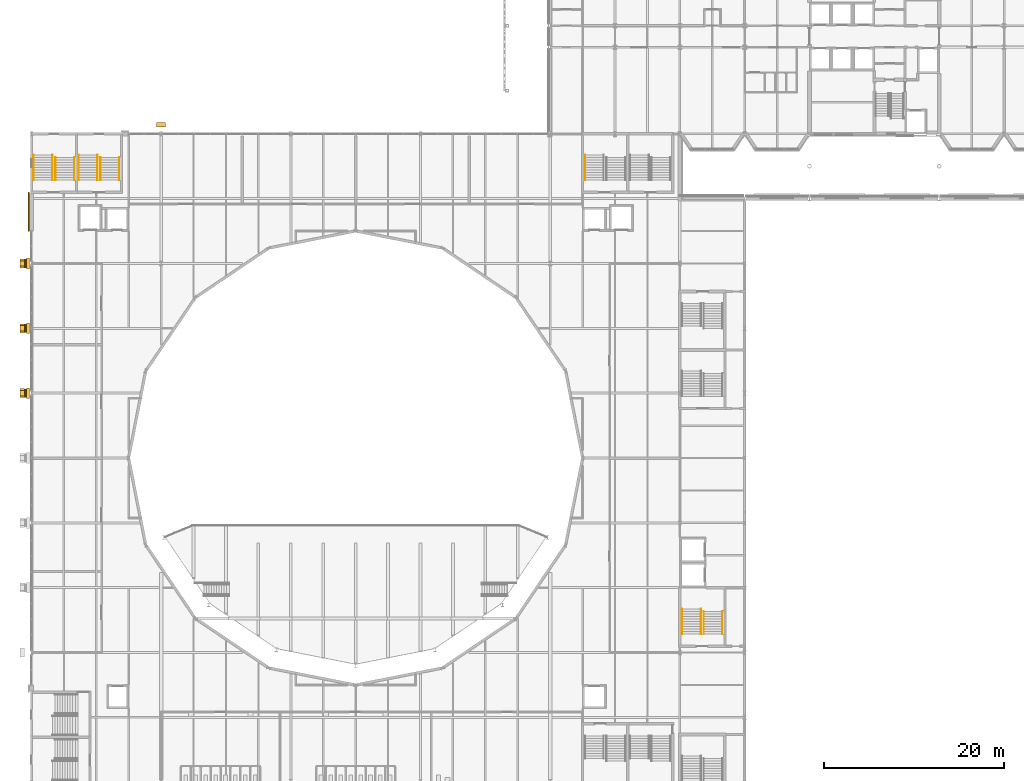
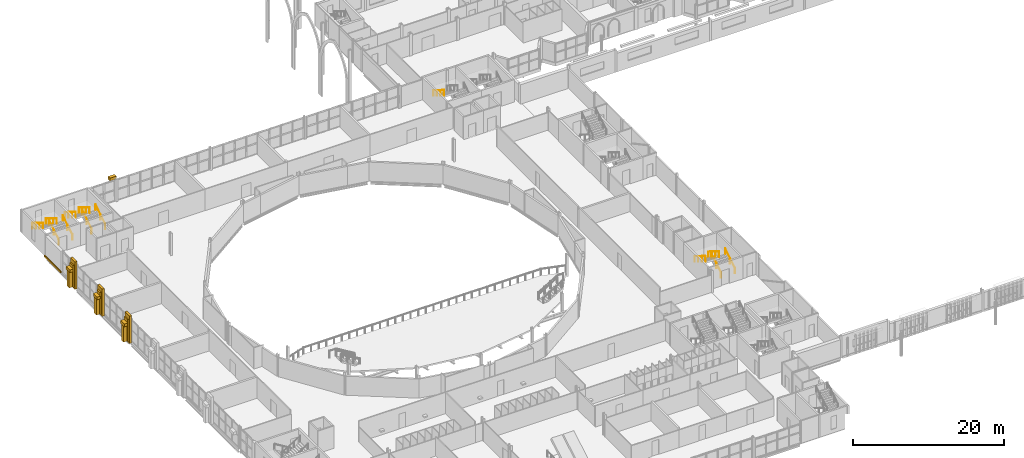
# One storey, part 106 of 124: 14 coverings, 13 railings.
"""IFC4 building model written with IfcOpenShell, lengths in metres."""

from ifc_helpers import new_model, si_unit, direction, frame, origin, origin_2d, place, context, subcontext, project, spatial, rectangle, circle, extrude, material, layer, layer_set, type_object, element, save


model = new_model("IFC4")

# Units and contexts
model_context = context("Model", 3, precision=1e-05, world=origin(), true_north=direction((0.0, 1.0)))
body_context = subcontext(model_context, "Body", "Model", "MODEL_VIEW")
ifc_project = project(units=[si_unit("LENGTHUNIT", "METRE"), si_unit("AREAUNIT", "SQUARE_METRE"), si_unit("VOLUMEUNIT", "CUBIC_METRE"), si_unit("PLANEANGLEUNIT", "RADIAN"), si_unit("MASSUNIT", "GRAM", prefix="KILO")], contexts=[model_context])

# Site, building, storey
site_placement = place(None, origin())
site = spatial("IfcSite", under=ifc_project, at=site_placement, CompositionType="ELEMENT")
building_placement = place(site_placement, origin())
building = spatial("IfcBuilding", under=site, at=building_placement, Name="Kupolbacken Congress Centre", CompositionType="ELEMENT")
storey_placement = place(building_placement, frame((0.0, 0.0, 10.800048828125)))
storey = spatial("IfcBuildingStorey", under=building, at=storey_placement, Name="L03", CompositionType="ELEMENT", Elevation=10.800048828125)

# Coverings
ifc_material_1 = material(Name="Limestone cladding", Category="masonry")
ifc_layer_1 = layer(ifc_material_1, 0.1201171875)
ifc_layer_set_1 = layer_set([ifc_layer_1], Name="Limestone cladding")
covering_type_1 = type_object("IfcCoveringType", Name="CV1 limestone cladding band 120", PredefinedType="CLADDING", material=ifc_layer_set_1)
covering_1_placement = place(storey_placement, frame((6.919921875, 113.75, 0.0), z_axis=(0.0, 0.0, 1.0), x_axis=(0.0, -1.0, 0.0)))
element("IfcCovering", 1, at=covering_1_placement, inside=storey, type_object=covering_type_1, Name="E/P/W/L03/385/band", PredefinedType="CLADDING", context=body_context, shape_type="SweptSolid", body=[
    extrude(rectangle(XDim=4.300048828125, YDim=0.1201171875, at=origin_2d()), origin(), (0.0, 0.0, 1.0), 0.300048828125),
])
ifc_material_2 = material(Name="Limestone cladding", Category="masonry")
ifc_layer_2 = layer(ifc_material_2, 0.35009765625)
ifc_layer_set_2 = layer_set([ifc_layer_2], Name="Limestone cladding")
covering_type_2 = type_object("IfcCoveringType", Name="CV3 limestone pilaster strip 350", PredefinedType="CLADDING", material=ifc_layer_set_2)
for number, where, z_axis, x_axis, name in (
    (2, (6.804931640625, 93.60009765625, 0.0), (0.0, 0.0, 1.0), (0.0, 1.0, 0.0), "F/P/W/pil/04/0"),
    (3, (6.804931640625, 100.800048828125, 0.0), (0.0, 0.0, 1.0), (0.0, 1.0, 0.0), "F/P/W/pil/05/0"),
    (4, (6.804931640625, 108.0, 0.0), (0.0, 0.0, 1.0), (0.0, 1.0, 0.0), "F/P/W/pil/06/0"),
):
    element("IfcCovering", number, at=place(storey_placement, frame(where, z_axis=z_axis, x_axis=x_axis)), inside=storey, type_object=covering_type_2, Name=name, PredefinedType="CLADDING", context=body_context, shape_type="SweptSolid", body=[
        extrude(rectangle(XDim=1.199951171875, YDim=0.35009765625, at=origin_2d()), origin(), (0.0, 0.0, 1.0), 4.419921875),
    ])
ifc_material_3 = material(Name="Limestone cladding", Category="masonry")
ifc_layer_3 = layer(ifc_material_3, 0.5)
ifc_layer_set_3 = layer_set([ifc_layer_3], Name="Limestone cladding")
covering_type_3 = type_object("IfcCoveringType", Name="CV8 limestone drum pier 500", PredefinedType="CLADDING", material=ifc_layer_set_3)
covering_2_placement = place(storey_placement, frame((21.60009765625, 123.419921875, 2.8701171875), z_axis=(0.0, 0.0, 1.0), x_axis=(1.0, 0.0, 0.0)))
element("IfcCovering", 5, at=covering_2_placement, inside=storey, type_object=covering_type_3, Name="F/HR/P/N/cap/00-0/0", PredefinedType="CLADDING", context=body_context, shape_type="SweptSolid", body=[
    extrude(rectangle(XDim=1.0, YDim=0.5, at=origin_2d()), origin(), (0.0, 0.0, 1.0), 0.449951171875),
])
covering_3_placement = place(storey_placement, frame((6.179931640625, 93.60009765625, 0.2998046875), z_axis=(0.0, 0.0, 1.0), x_axis=(0.0, 1.0, 0.0)))
element("IfcCovering", 6, at=covering_3_placement, inside=storey, type_object=covering_type_3, Name="F/HR/P/W/butt/04-0/0", PredefinedType="CLADDING", context=body_context, shape_type="SweptSolid", body=[
    extrude(rectangle(XDim=0.60009765625, YDim=0.5, at=origin_2d()), origin(), (0.0, 0.0, 1.0), 2.570068359375),
])
covering_4_placement = place(storey_placement, frame((6.179931640625, 93.60009765625, 2.8701171875), z_axis=(0.0, 0.0, 1.0), x_axis=(0.0, 1.0, 0.0)))
element("IfcCovering", 7, at=covering_4_placement, inside=storey, type_object=covering_type_3, Name="F/HR/P/W/cap/04-0/0", PredefinedType="CLADDING", context=body_context, shape_type="SweptSolid", body=[
    extrude(rectangle(XDim=1.0, YDim=0.5, at=origin_2d()), origin(), (0.0, 0.0, 1.0), 0.449951171875),
])
covering_5_placement = place(storey_placement, frame((6.179931640625, 100.800048828125, 0.2998046875), z_axis=(0.0, 0.0, 1.0), x_axis=(0.0, 1.0, 0.0)))
element("IfcCovering", 8, at=covering_5_placement, inside=storey, type_object=covering_type_3, Name="F/HR/P/W/butt/05-0/0", PredefinedType="CLADDING", context=body_context, shape_type="SweptSolid", body=[
    extrude(rectangle(XDim=0.60009765625, YDim=0.5, at=origin_2d()), origin(), (0.0, 0.0, 1.0), 2.570068359375),
])
covering_6_placement = place(storey_placement, frame((6.179931640625, 100.800048828125, 2.8701171875), z_axis=(0.0, 0.0, 1.0), x_axis=(0.0, 1.0, 0.0)))
element("IfcCovering", 9, at=covering_6_placement, inside=storey, type_object=covering_type_3, Name="F/HR/P/W/cap/05-0/0", PredefinedType="CLADDING", context=body_context, shape_type="SweptSolid", body=[
    extrude(rectangle(XDim=1.0, YDim=0.5, at=origin_2d()), origin(), (0.0, 0.0, 1.0), 0.449951171875),
])
covering_7_placement = place(storey_placement, frame((6.179931640625, 108.0, 0.2998046875), z_axis=(0.0, 0.0, 1.0), x_axis=(0.0, 1.0, 0.0)))
element("IfcCovering", 10, at=covering_7_placement, inside=storey, type_object=covering_type_3, Name="F/HR/P/W/butt/06-0/0", PredefinedType="CLADDING", context=body_context, shape_type="SweptSolid", body=[
    extrude(rectangle(XDim=0.60009765625, YDim=0.5, at=origin_2d()), origin(), (0.0, 0.0, 1.0), 2.570068359375),
])
covering_8_placement = place(storey_placement, frame((6.179931640625, 108.0, 2.8701171875), z_axis=(0.0, 0.0, 1.0), x_axis=(0.0, 1.0, 0.0)))
element("IfcCovering", 11, at=covering_8_placement, inside=storey, type_object=covering_type_3, Name="F/HR/P/W/cap/06-0/0", PredefinedType="CLADDING", context=body_context, shape_type="SweptSolid", body=[
    extrude(rectangle(XDim=1.0, YDim=0.5, at=origin_2d()), origin(), (0.0, 0.0, 1.0), 0.449951171875),
])
ifc_material_4 = material(Name="Limestone cladding", Category="masonry")
ifc_layer_4 = layer(ifc_material_4, 0.199951171875)
ifc_layer_set_4 = layer_set([ifc_layer_4], Name="Limestone cladding")
covering_type_4 = type_object("IfcCoveringType", Name="CV9 limestone drum arch frame 200", PredefinedType="CLADDING", material=ifc_layer_set_4)
for number, where, z_axis, x_axis, name in (
    (12, (6.530029296875, 93.60009765625, 0.300048828125), (0.0, 0.0, 1.0), (0.0, 1.0, 0.0), "F/HR/P/W/rib/04-0/0"),
    (13, (6.530029296875, 100.800048828125, 0.300048828125), (0.0, 0.0, 1.0), (0.0, 1.0, 0.0), "F/HR/P/W/rib/05-0/0"),
    (14, (6.530029296875, 108.0, 0.300048828125), (0.0, 0.0, 1.0), (0.0, 1.0, 0.0), "F/HR/P/W/rib/06-0/0"),
):
    element("IfcCovering", number, at=place(storey_placement, frame(where, z_axis=z_axis, x_axis=x_axis)), inside=storey, type_object=covering_type_4, Name=name, PredefinedType="CLADDING", context=body_context, shape_type="SweptSolid", body=[
        extrude(rectangle(XDim=0.89990234375, YDim=0.199951171875, at=origin_2d()), origin(), (0.0, 0.0, 1.0), 3.52001953125),
    ])

# Railings
ifc_material_5 = material(Name="Steel S235", Category="steel")
railing_type = type_object("IfcRailingType", Name="RL3 handrail wall-mounted 900", PredefinedType="HANDRAIL", material=ifc_material_5)
for number, where, name in (
    (15, (9.85009765625, 117.2548828125, 0.17138671875), "C/stair/PS1NW/L03/HR1L"),
    (16, (11.949951171875, 117.2548828125, 0.17138671875), "C/stair/PS1NW/L03/HR1R"),
):
    element("IfcRailing", number, at=place(storey_placement, frame(where)), inside=storey, type_object=railing_type, Name=name, PredefinedType="HANDRAIL", context=body_context, shape_type="SweptSolid", body=[
        extrude(circle(Radius=0.02392578125, at=origin_2d()), frame((0.0, 0.0, 0.8759765625), z_axis=(0.0, 0.852836285881, 0.522178388565), x_axis=(-1.0, 0.0, 0.0)), (0.0, 0.0, 1.0), 2.954833984375),
        extrude(circle(Radius=0.02099609375, at=origin_2d()), origin(), (0.0, 0.0, 1.0), 0.851806640625),
        extrude(circle(Radius=0.02099609375, at=origin_2d()), frame((0.0, 1.260009765625, 0.771484375)), (0.0, 0.0, 1.0), 0.851806640625),
        extrude(circle(Radius=0.02099609375, at=origin_2d()), frame((0.0, 2.52001953125, 1.54296875)), (0.0, 0.0, 1.0), 0.851806640625),
    ])
for number, where, name in (
    (17, (9.550048828125, 120.054931640625, 1.8857421875), "C/stair/PS1NW/L03/HR2L"),
    (18, (7.449951171875, 120.054931640625, 1.8857421875), "C/stair/PS1NW/L03/HR2R"),
):
    element("IfcRailing", number, at=place(storey_placement, frame(where)), inside=storey, type_object=railing_type, Name=name, PredefinedType="HANDRAIL", context=body_context, shape_type="SweptSolid", body=[
        extrude(circle(Radius=0.02392578125, at=origin_2d()), frame((0.0, 0.0, 0.8759765625), z_axis=(0.0, -0.852879011914, 0.522108600807), x_axis=(1.0, 0.0, 0.0)), (0.0, 0.0, 1.0), 3.282958984375),
        extrude(circle(Radius=0.02099609375, at=origin_2d()), origin(), (0.0, 0.0, 1.0), 0.851806640625),
        extrude(circle(Radius=0.02099609375, at=origin_2d()), frame((0.0, -0.933349609375, 0.5712890625)), (0.0, 0.0, 1.0), 0.851806640625),
        extrude(circle(Radius=0.02099609375, at=origin_2d()), frame((0.0, -1.86669921875, 1.142822265625)), (0.0, 0.0, 1.0), 0.851806640625),
        extrude(circle(Radius=0.02099609375, at=origin_2d()), frame((0.0, -2.800048828125, 1.714111328125)), (0.0, 0.0, 1.0), 0.851806640625),
    ])
for number, where, name in (
    (19, (14.85009765625, 117.2548828125, 0.17138671875), "C/stair/PS2NW/L03/HR1L"),
    (20, (16.949951171875, 117.2548828125, 0.17138671875), "C/stair/PS2NW/L03/HR1R"),
):
    element("IfcRailing", number, at=place(storey_placement, frame(where)), inside=storey, type_object=railing_type, Name=name, PredefinedType="HANDRAIL", context=body_context, shape_type="SweptSolid", body=[
        extrude(circle(Radius=0.02392578125, at=origin_2d()), frame((0.0, 0.0, 0.8759765625), z_axis=(0.0, 0.852836285881, 0.522178388565), x_axis=(-1.0, 0.0, 0.0)), (0.0, 0.0, 1.0), 2.954833984375),
        extrude(circle(Radius=0.02099609375, at=origin_2d()), origin(), (0.0, 0.0, 1.0), 0.851806640625),
        extrude(circle(Radius=0.02099609375, at=origin_2d()), frame((0.0, 1.260009765625, 0.771484375)), (0.0, 0.0, 1.0), 0.851806640625),
        extrude(circle(Radius=0.02099609375, at=origin_2d()), frame((0.0, 2.52001953125, 1.54296875)), (0.0, 0.0, 1.0), 0.851806640625),
    ])
for number, where, name in (
    (21, (14.550048828125, 120.054931640625, 1.8857421875), "C/stair/PS2NW/L03/HR2L"),
    (22, (12.449951171875, 120.054931640625, 1.8857421875), "C/stair/PS2NW/L03/HR2R"),
    (23, (68.64990234375, 120.054931640625, 1.8857421875), "C/stair/PS1NE/L03/HR2R"),
):
    element("IfcRailing", number, at=place(storey_placement, frame(where)), inside=storey, type_object=railing_type, Name=name, PredefinedType="HANDRAIL", context=body_context, shape_type="SweptSolid", body=[
        extrude(circle(Radius=0.02392578125, at=origin_2d()), frame((0.0, 0.0, 0.8759765625), z_axis=(0.0, -0.852879011914, 0.522108600807), x_axis=(1.0, 0.0, 0.0)), (0.0, 0.0, 1.0), 3.282958984375),
        extrude(circle(Radius=0.02099609375, at=origin_2d()), origin(), (0.0, 0.0, 1.0), 0.851806640625),
        extrude(circle(Radius=0.02099609375, at=origin_2d()), frame((0.0, -0.933349609375, 0.5712890625)), (0.0, 0.0, 1.0), 0.851806640625),
        extrude(circle(Radius=0.02099609375, at=origin_2d()), frame((0.0, -1.86669921875, 1.142822265625)), (0.0, 0.0, 1.0), 0.851806640625),
        extrude(circle(Radius=0.02099609375, at=origin_2d()), frame((0.0, -2.800048828125, 1.714111328125)), (0.0, 0.0, 1.0), 0.851806640625),
    ])
for number, where, name in (
    (24, (81.85009765625, 66.85498046875, 0.17138671875), "C/stair/LS3/L03/HR1L"),
    (25, (83.949951171875, 66.85498046875, 0.17138671875), "C/stair/LS3/L03/HR1R"),
):
    element("IfcRailing", number, at=place(storey_placement, frame(where)), inside=storey, type_object=railing_type, Name=name, PredefinedType="HANDRAIL", context=body_context, shape_type="SweptSolid", body=[
        extrude(circle(Radius=0.02392578125, at=origin_2d()), frame((0.0, 0.0, 0.8759765625), z_axis=(0.0, 0.852836285881, 0.522178388565), x_axis=(-1.0, 0.0, 0.0)), (0.0, 0.0, 1.0), 2.954833984375),
        extrude(circle(Radius=0.02099609375, at=origin_2d()), origin(), (0.0, 0.0, 1.0), 0.851806640625),
        extrude(circle(Radius=0.02099609375, at=origin_2d()), frame((0.0, 1.260009765625, 0.771484375)), (0.0, 0.0, 1.0), 0.851806640625),
        extrude(circle(Radius=0.02099609375, at=origin_2d()), frame((0.0, 2.52001953125, 1.54296875)), (0.0, 0.0, 1.0), 0.851806640625),
    ])
for number, where, name in (
    (26, (81.550048828125, 69.655029296875, 1.8857421875), "C/stair/LS3/L03/HR2L"),
    (27, (79.449951171875, 69.655029296875, 1.8857421875), "C/stair/LS3/L03/HR2R"),
):
    element("IfcRailing", number, at=place(storey_placement, frame(where)), inside=storey, type_object=railing_type, Name=name, PredefinedType="HANDRAIL", context=body_context, shape_type="SweptSolid", body=[
        extrude(circle(Radius=0.02392578125, at=origin_2d()), frame((0.0, 0.0, 0.8759765625), z_axis=(0.0, -0.852879011914, 0.522108600807), x_axis=(1.0, 0.0, 0.0)), (0.0, 0.0, 1.0), 3.282958984375),
        extrude(circle(Radius=0.02099609375, at=origin_2d()), origin(), (0.0, 0.0, 1.0), 0.851806640625),
        extrude(circle(Radius=0.02099609375, at=origin_2d()), frame((0.0, -0.933349609375, 0.5712890625)), (0.0, 0.0, 1.0), 0.851806640625),
        extrude(circle(Radius=0.02099609375, at=origin_2d()), frame((0.0, -1.86669921875, 1.142822265625)), (0.0, 0.0, 1.0), 0.851806640625),
        extrude(circle(Radius=0.02099609375, at=origin_2d()), frame((0.0, -2.800048828125, 1.714111328125)), (0.0, 0.0, 1.0), 0.851806640625),
    ])

save(model, "model.ifc")
